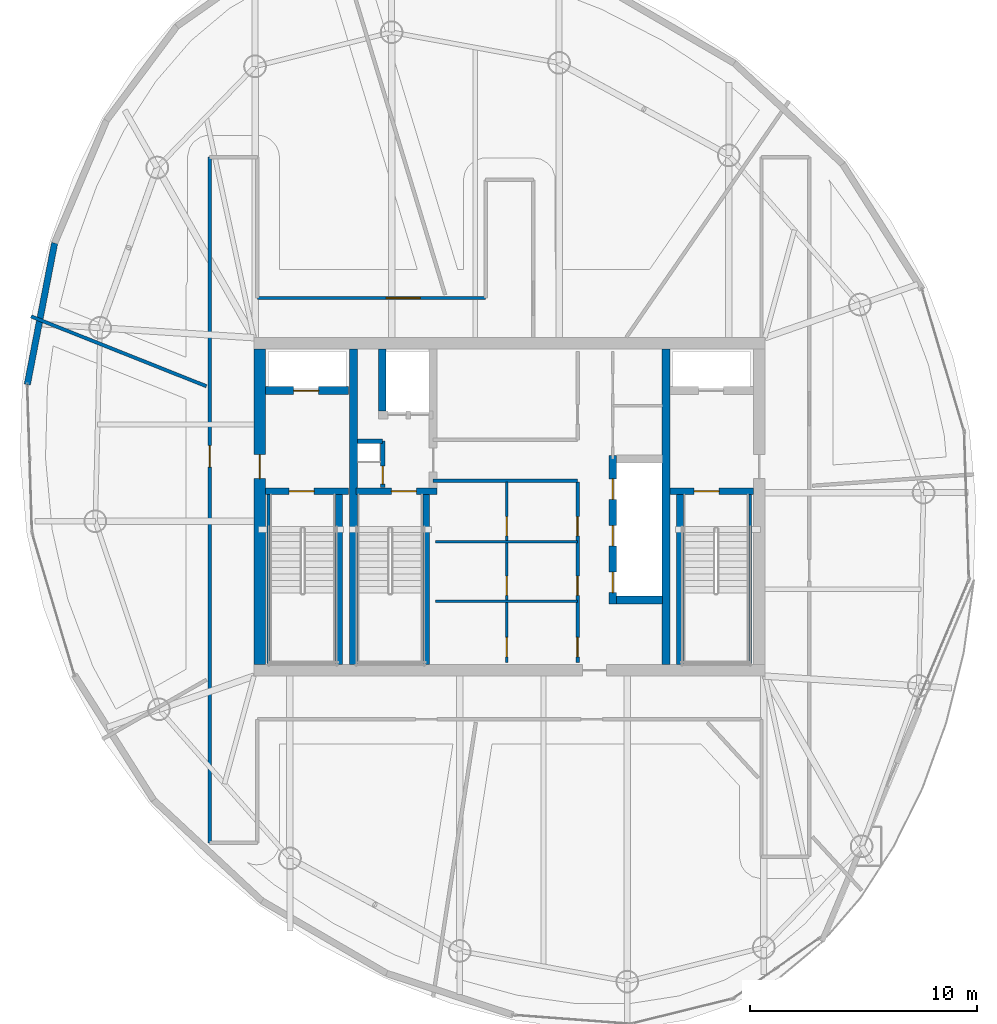
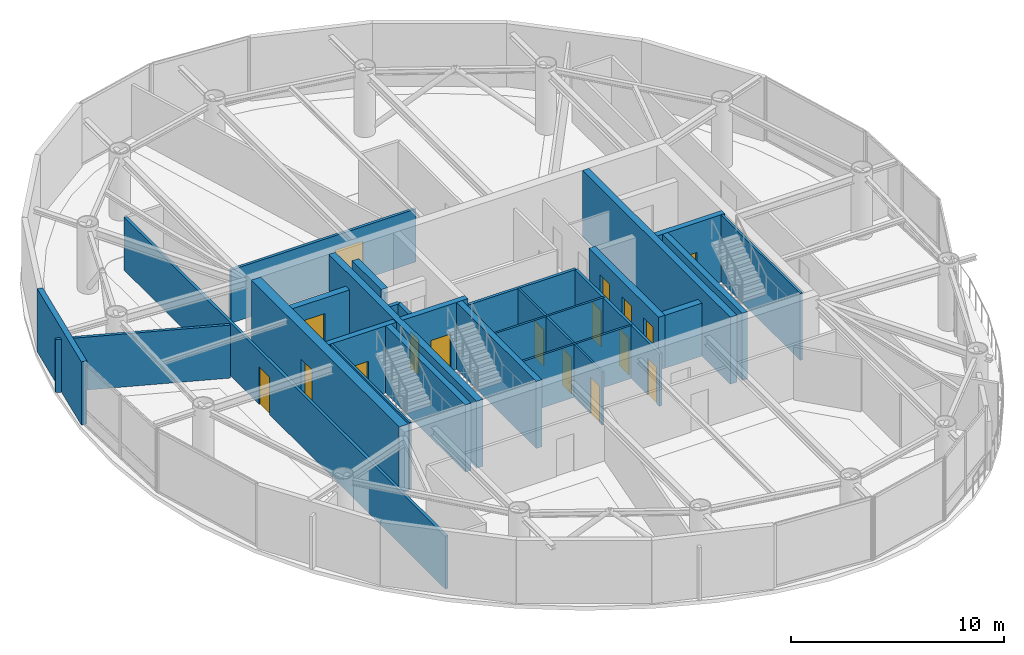
# One storey, part 17 of 23: 26 walls, 17 doors, 17 openings.
"""IFC4 building model written with IfcOpenShell, lengths in metres."""

from ifc_helpers import new_model, si_unit, direction, frame, frame_2d, origin, place, context, subcontext, project, spatial, rectangle, extrude, material, layer, layer_set, type_object, element, fill, save


model = new_model("IFC4")

# Units and contexts
model_context = context("Model", 3, precision=1e-05, world=origin(), true_north=direction((0.0, 1.0)))
body_context = subcontext(model_context, "Body", "Model", "MODEL_VIEW")
ifc_project = project(units=[si_unit("LENGTHUNIT", "METRE"), si_unit("AREAUNIT", "SQUARE_METRE"), si_unit("VOLUMEUNIT", "CUBIC_METRE"), si_unit("PLANEANGLEUNIT", "RADIAN"), si_unit("MASSUNIT", "GRAM", prefix="KILO")], contexts=[model_context])

# Site, building, storey
site_placement = place(None, origin())
site = spatial("IfcSite", under=ifc_project, at=site_placement, CompositionType="ELEMENT")
building_placement = place(site_placement, origin())
building = spatial("IfcBuilding", under=site, at=building_placement, Name="Bramvorn Convention Spire", CompositionType="ELEMENT")
storey_placement = place(building_placement, frame((0.0, 0.0, 295.949951171875)))
storey = spatial("IfcBuildingStorey", under=building, at=storey_placement, Name="L75", CompositionType="ELEMENT", Elevation=295.949951171875)

# Wall, opening, door
ifc_material_1 = material(Name="Concrete C50/60", Category="concrete")
ifc_layer_1 = layer(ifc_material_1, 0.5)
ifc_layer_set_1 = layer_set([ifc_layer_1], Name="Concrete C50/60 - WL-CORE-500")
wall_type_1 = type_object("IfcWallType", Name="WL-CORE-500", PredefinedType="SHEAR", material=ifc_layer_set_1)
wall_1_placement = place(storey_placement, frame((27.0, 19.050048828125, 0.0), z_axis=(0.0, 0.0, 1.0), x_axis=(0.0, 1.0, 0.0)))
wall_1 = element("IfcWall", 1, at=wall_1_placement, inside=storey, type_object=wall_type_1, Name="L75 West RC core shear wall", PredefinedType="SHEAR", context=body_context, shape_type="SweptSolid", body=[
    extrude(rectangle(XDim=13.89990234375, YDim=0.5, at=frame_2d((6.949951171875, 0.0))), origin(), (0.0, 0.0, 1.0), 3.85009765625),
])
opening_1_placement = place(wall_1_placement, frame((8.199951171875, 0.0, 0.0)))
opening_1 = element("IfcOpeningElement", 2, at=opening_1_placement, cuts=wall_1, Name="Opening DL-105", PredefinedType="OPENING", context=body_context, shape_type="SweptSolid", body=[
    extrude(rectangle(XDim=1.050048828125, YDim=2.14990234375, at=frame_2d((0.52490234375, 1.074951171875))), frame((0.0, 0.260009765625, 0.0), z_axis=(0.0, -1.0, 0.0), x_axis=(1.0, 0.0, 0.0)), (0.0, 0.0, 1.0), 0.52001953125),
])
ifc_material_2 = material(Name="Smoke-Sealed Fire Lobby Timber-Core Door", Category="wood")
door_type_1 = type_object("IfcDoorType", Name="DR-LOBBY-1050", OperationType="NOTDEFINED", PredefinedType="DOOR", material=ifc_material_2)
door_1_placement = place(opening_1_placement, origin())
door_1 = element("IfcDoor", 3, at=door_1_placement, inside=storey, type_object=door_type_1, Name="L75 West Firefighting Lobby corridor door", OperationType="SINGLE_SWING_RIGHT", OverallHeight=2.14990234375, OverallWidth=1.050048828125, PredefinedType="DOOR", context=body_context, shape_type="SweptSolid", body=[
    extrude(rectangle(XDim=1.050048828125, YDim=2.14990234375, at=frame_2d((0.52490234375, 1.074951171875))), frame((0.0, 0.02490234375, 0.0), z_axis=(0.0, -1.0, 0.0), x_axis=(1.0, 0.0, 0.0)), (0.0, 0.0, 1.0), 0.050048828125),
])
fill(opening_1, door_1)

# Walls
ifc_layer_2 = layer(ifc_material_1, 0.35009765625)
ifc_layer_set_2 = layer_set([ifc_layer_2], Name="Concrete C50/60 - WL-CORE-INT-350")
wall_type_2 = type_object("IfcWallType", Name="WL-CORE-INT-350", PredefinedType="SHEAR", material=ifc_layer_set_2)
for number, where, z_axis, x_axis, name in (
    (4, (31.1298828125, 19.050048828125, 0.0), (0.0, 0.0, 1.0), (0.0, 1.0, 0.0), "L75 West internal core shear web"),
    (5, (44.89990234375, 19.050048828125, 0.0), (0.0, 0.0, 1.0), (0.0, 1.0, 0.0), "L75 East internal core shear web"),
):
    element("IfcWall", number, at=place(storey_placement, frame(where, z_axis=z_axis, x_axis=x_axis)), inside=storey, type_object=wall_type_2, Name=name, PredefinedType="SHEAR", context=body_context, shape_type="SweptSolid", body=[
        extrude(rectangle(XDim=13.89990234375, YDim=0.35009765625, at=frame_2d((6.949951171875, 0.0))), origin(), (0.0, 0.0, 1.0), 3.85009765625),
    ])

# Wall, opening, door
wall_2_placement = place(storey_placement, frame((27.25, 31.1201171875, 0.0), z_axis=(0.0, 0.0, 1.0), x_axis=(1.0, 0.0, 0.0)))
wall_2 = element("IfcWall", 6, at=wall_2_placement, inside=storey, type_object=wall_type_2, Name="L75 FE1 shaft front wall", PredefinedType="SHEAR", context=body_context, shape_type="SweptSolid", body=[
    extrude(rectangle(XDim=3.669921875, YDim=0.35009765625, at=frame_2d((1.8349609375, 0.0))), origin(), (0.0, 0.0, 1.0), 3.0400390625),
])
opening_2_placement = place(wall_2_placement, frame((1.25, 0.0, 0.0)))
opening_2 = element("IfcOpeningElement", 7, at=opening_2_placement, cuts=wall_2, Name="Opening LD-110", PredefinedType="OPENING", context=body_context, shape_type="SweptSolid", body=[
    extrude(rectangle(XDim=1.10009765625, YDim=2.14990234375, at=frame_2d((0.550048828125, 1.074951171875))), frame((0.0, 0.18505859375, 0.0), z_axis=(0.0, -1.0, 0.0), x_axis=(1.0, 0.0, 0.0)), (0.0, 0.0, 1.0), 0.3701171875),
])
ifc_material_3 = material(Name="Firefighting & Service Lift Sliding Landing Door", Category="steel")
door_type_2 = type_object("IfcDoorType", Name="DR-LIFT-LD-1100", OperationType="NOTDEFINED", PredefinedType="DOOR", material=ifc_material_3)
door_2_placement = place(opening_2_placement, origin())
door_2 = element("IfcDoor", 8, at=door_2_placement, inside=storey, type_object=door_type_2, Name="L75 Lift FE1 Sliding Landing Door", OperationType="SLIDING_TO_LEFT", OverallHeight=2.14990234375, OverallWidth=1.10009765625, PredefinedType="DOOR", context=body_context, shape_type="SweptSolid", body=[
    extrude(rectangle(XDim=1.10009765625, YDim=2.14990234375, at=frame_2d((0.550048828125, 1.074951171875))), frame((0.0, 0.02490234375, 0.0), z_axis=(0.0, -1.0, 0.0), x_axis=(1.0, 0.0, 0.0)), (0.0, 0.0, 1.0), 0.050048828125),
])
fill(opening_2, door_2)

# Wall
wall_3_placement = place(storey_placement, frame((32.39990234375, 30.219970703125, 0.0), z_axis=(0.0, 0.0, 1.0), x_axis=(0.0, 1.0, 0.0)))
element("IfcWall", 9, at=wall_3_placement, inside=storey, type_object=wall_type_2, Name="L75 SV1 west hoistway wall", PredefinedType="SHEAR", context=body_context, shape_type="SweptSolid", body=[
    extrude(rectangle(XDim=2.72998046875, YDim=0.35009765625, at=frame_2d((1.364990234375, 0.0))), origin(), (0.0, 0.0, 1.0), 3.0400390625),
])

# Wall, openings, doors
wall_4_placement = place(storey_placement, frame((42.550048828125, 21.72998046875, 0.0), z_axis=(0.0, 0.0, 1.0), x_axis=(0.0, 1.0, 0.0)))
wall_4 = element("IfcWall", 10, at=wall_4_placement, inside=storey, type_object=wall_type_2, Name="L75 High-rise lift bank west wall", PredefinedType="SHEAR", context=body_context, shape_type="SweptSolid", body=[
    extrude(rectangle(XDim=6.5400390625, YDim=0.35009765625, at=frame_2d((3.27001953125, 0.0))), origin(), (0.0, 0.0, 1.0), 3.0400390625),
])
opening_3_placement = place(wall_4_placement, frame((0.5, 0.0, 0.0)))
opening_3 = element("IfcOpeningElement", 11, at=opening_3_placement, cuts=wall_4, Name="Opening LD-090", PredefinedType="OPENING", context=body_context, shape_type="SweptSolid", body=[
    extrude(rectangle(XDim=0.89990234375, YDim=2.14990234375, at=frame_2d((0.449951171875, 1.074951171875))), frame((0.0, 0.18505859375, 0.0), z_axis=(0.0, -1.0, 0.0), x_axis=(1.0, 0.0, 0.0)), (0.0, 0.0, 1.0), 0.3701171875),
])
opening_4_placement = place(wall_4_placement, frame((2.550048828125, 0.0, 0.0)))
opening_4 = element("IfcOpeningElement", 12, at=opening_4_placement, cuts=wall_4, Name="Opening LD-090", PredefinedType="OPENING", context=body_context, shape_type="SweptSolid", body=[
    extrude(rectangle(XDim=0.89990234375, YDim=2.14990234375, at=frame_2d((0.449951171875, 1.074951171875))), frame((0.0, 0.18505859375, 0.0), z_axis=(0.0, -1.0, 0.0), x_axis=(1.0, 0.0, 0.0)), (0.0, 0.0, 1.0), 0.3701171875),
])
opening_5_placement = place(wall_4_placement, frame((4.60009765625, 0.0, 0.0)))
opening_5 = element("IfcOpeningElement", 13, at=opening_5_placement, cuts=wall_4, Name="Opening LD-090", PredefinedType="OPENING", context=body_context, shape_type="SweptSolid", body=[
    extrude(rectangle(XDim=0.89990234375, YDim=2.14990234375, at=frame_2d((0.449951171875, 1.074951171875))), frame((0.0, 0.18505859375, 0.0), z_axis=(0.0, -1.0, 0.0), x_axis=(1.0, 0.0, 0.0)), (0.0, 0.0, 1.0), 0.3701171875),
])
ifc_material_4 = material(Name="Bi-Parting Fire-Rated Lift Landing Door", Category="steel")
door_type_3 = type_object("IfcDoorType", Name="DR-LIFT-LD-900", OperationType="NOTDEFINED", PredefinedType="DOOR", material=ifc_material_4)
door_3_placement = place(opening_3_placement, origin())
door_3 = element("IfcDoor", 14, at=door_3_placement, inside=storey, type_object=door_type_3, Name="L75 Lift PH1 Sliding Landing Door", OperationType="SLIDING_TO_LEFT", OverallHeight=2.14990234375, OverallWidth=0.89990234375, PredefinedType="DOOR", context=body_context, shape_type="SweptSolid", body=[
    extrude(rectangle(XDim=0.89990234375, YDim=2.14990234375, at=frame_2d((0.449951171875, 1.074951171875))), frame((0.0, 0.02490234375, 0.0), z_axis=(0.0, -1.0, 0.0), x_axis=(1.0, 0.0, 0.0)), (0.0, 0.0, 1.0), 0.050048828125),
])
fill(opening_3, door_3)
door_4_placement = place(opening_4_placement, origin())
door_4 = element("IfcDoor", 15, at=door_4_placement, inside=storey, type_object=door_type_3, Name="L75 Lift PH2 Sliding Landing Door", OperationType="SLIDING_TO_LEFT", OverallHeight=2.14990234375, OverallWidth=0.89990234375, PredefinedType="DOOR", context=body_context, shape_type="SweptSolid", body=[
    extrude(rectangle(XDim=0.89990234375, YDim=2.14990234375, at=frame_2d((0.449951171875, 1.074951171875))), frame((0.0, 0.02490234375, 0.0), z_axis=(0.0, -1.0, 0.0), x_axis=(1.0, 0.0, 0.0)), (0.0, 0.0, 1.0), 0.050048828125),
])
fill(opening_4, door_4)
door_5_placement = place(opening_5_placement, origin())
door_5 = element("IfcDoor", 16, at=door_5_placement, inside=storey, type_object=door_type_3, Name="L75 Lift PH3 Sliding Landing Door", OperationType="SLIDING_TO_LEFT", OverallHeight=2.14990234375, OverallWidth=0.89990234375, PredefinedType="DOOR", context=body_context, shape_type="SweptSolid", body=[
    extrude(rectangle(XDim=0.89990234375, YDim=2.14990234375, at=frame_2d((0.449951171875, 1.074951171875))), frame((0.0, 0.02490234375, 0.0), z_axis=(0.0, -1.0, 0.0), x_axis=(1.0, 0.0, 0.0)), (0.0, 0.0, 1.0), 0.050048828125),
])
fill(opening_5, door_5)

# Walls
wall_5_placement = place(storey_placement, frame((42.719970703125, 21.89990234375, 0.0), z_axis=(0.0, 0.0, 1.0), x_axis=(1.0, 0.0, 0.0)))
element("IfcWall", 17, at=wall_5_placement, inside=storey, type_object=wall_type_2, Name="L75 High-rise lift bank south wall", PredefinedType="SHEAR", context=body_context, shape_type="SweptSolid", body=[
    extrude(rectangle(XDim=2.030029296875, YDim=0.35009765625, at=frame_2d((1.01513671875, 0.0))), origin(), (0.0, 0.0, 1.0), 3.0400390625),
])
ifc_material_5 = material(Name="Precast Concrete C40/50 with Bronze Terracotta Rainscreen", Category="masonry")
ifc_layer_3 = layer(ifc_material_5, 0.300048828125)
ifc_layer_set_3 = layer_set([ifc_layer_3], Name="Precast Concrete C40/50 with Bronze Terracotta Rainscreen - WL-EXT-BRONZE-300")
wall_type_3 = type_object("IfcWallType", Name="WL-EXT-BRONZE-300", PredefinedType="SOLIDWALL", material=ifc_layer_set_3)
wall_6_placement = place(storey_placement, frame((16.772216796875, 31.386962890625, 0.0), z_axis=(0.0, 0.0, 1.0), x_axis=(0.189578027275, 0.981865658619, 0.0)))
element("IfcWall", 18, at=wall_6_placement, inside=storey, type_object=wall_type_3, Name="L75 expressed bronze Gothic lancet pier wall 16", PredefinedType="SOLIDWALL", context=body_context, shape_type="SweptSolid", body=[
    extrude(rectangle(XDim=6.344970703125, YDim=0.280029296875, at=frame_2d((3.17236328125, 0.0))), origin(), (0.0, 0.0, 1.0), 3.625),
])

# Wall, openings, doors
ifc_material_6 = material(Name="Lightweight En-Suite & Wet-Wall Partition", Category="gypsum")
ifc_layer_4 = layer(ifc_material_6, 0.110107421875)
ifc_layer_set_4 = layer_set([ifc_layer_4], Name="Lightweight En-Suite & Wet-Wall Partition - WL-PART-110")
wall_type_4 = type_object("IfcWallType", Name="WL-PART-110", PredefinedType="PARTITIONING", material=ifc_layer_set_4)
wall_7_placement = place(storey_placement, frame((37.8798828125, 19.14990234375, 0.0), z_axis=(0.0, 0.0, 1.0), x_axis=(0.0, 1.0, 0.0)))
wall_7 = element("IfcWall", 19, at=wall_7_placement, inside=storey, type_object=wall_type_4, Name="L75 KB center wall", PredefinedType="PARTITIONING", context=body_context, shape_type="SweptSolid", body=[
    extrude(rectangle(XDim=7.9501953125, YDim=0.110107421875, at=frame_2d((3.97509765625, 0.0))), origin(), (0.0, 0.0, 1.0), 3.0400390625),
])
opening_6_placement = place(wall_7_placement, frame((0.25, 0.0, 0.0)))
opening_6 = element("IfcOpeningElement", 20, at=opening_6_placement, cuts=wall_7, Name="Opening DC-085", PredefinedType="OPENING", context=body_context, shape_type="SweptSolid", body=[
    extrude(rectangle(XDim=0.85009765625, YDim=2.10009765625, at=frame_2d((0.425048828125, 1.050048828125))), frame((0.0, 0.06494140625, 0.0), z_axis=(0.0, -1.0, 0.0), x_axis=(1.0, 0.0, 0.0)), (0.0, 0.0, 1.0), 0.130126953125),
])
opening_7_placement = place(wall_7_placement, frame((2.952880859375, 0.0, 0.0)))
opening_7 = element("IfcOpeningElement", 21, at=opening_7_placement, cuts=wall_7, Name="Opening DC-085", PredefinedType="OPENING", context=body_context, shape_type="SweptSolid", body=[
    extrude(rectangle(XDim=0.85009765625, YDim=2.10009765625, at=frame_2d((0.425048828125, 1.050048828125))), frame((0.0, 0.06494140625, 0.0), z_axis=(0.0, -1.0, 0.0), x_axis=(1.0, 0.0, 0.0)), (0.0, 0.0, 1.0), 0.130126953125),
])
opening_8_placement = place(wall_7_placement, frame((5.576416015625, 0.0, 0.0)))
opening_8 = element("IfcOpeningElement", 22, at=opening_8_placement, cuts=wall_7, Name="Opening DC-085", PredefinedType="OPENING", context=body_context, shape_type="SweptSolid", body=[
    extrude(rectangle(XDim=0.85009765625, YDim=2.10009765625, at=frame_2d((0.425048828125, 1.050048828125))), frame((0.0, 0.06494140625, 0.0), z_axis=(0.0, -1.0, 0.0), x_axis=(1.0, 0.0, 0.0)), (0.0, 0.0, 1.0), 0.130126953125),
])
ifc_material_7 = material(Name="Fire-Rated Core Washroom & IDF Door", Category="wood")
door_type_4 = type_object("IfcDoorType", Name="DR-CORE-850", OperationType="NOTDEFINED", PredefinedType="DOOR", material=ifc_material_7)
door_6_placement = place(opening_6_placement, origin())
door_6 = element("IfcDoor", 23, at=door_6_placement, inside=storey, type_object=door_type_4, Name="L75 Core Linen Store door", OperationType="SINGLE_SWING_LEFT", OverallHeight=2.10009765625, OverallWidth=0.85009765625, PredefinedType="DOOR", context=body_context, shape_type="SweptSolid", body=[
    extrude(rectangle(XDim=0.85009765625, YDim=2.10009765625, at=frame_2d((0.425048828125, 1.050048828125))), frame((0.0, 0.02490234375, 0.0), z_axis=(0.0, -1.0, 0.0), x_axis=(1.0, 0.0, 0.0)), (0.0, 0.0, 1.0), 0.050048828125),
])
fill(opening_6, door_6)
door_7_placement = place(opening_7_placement, origin())
door_7 = element("IfcDoor", 24, at=door_7_placement, inside=storey, type_object=door_type_4, Name="L75 Core Metering Closet door", OperationType="SINGLE_SWING_LEFT", OverallHeight=2.10009765625, OverallWidth=0.85009765625, PredefinedType="DOOR", context=body_context, shape_type="SweptSolid", body=[
    extrude(rectangle(XDim=0.85009765625, YDim=2.10009765625, at=frame_2d((0.425048828125, 1.050048828125))), frame((0.0, 0.02490234375, 0.0), z_axis=(0.0, -1.0, 0.0), x_axis=(1.0, 0.0, 0.0)), (0.0, 0.0, 1.0), 0.050048828125),
])
fill(opening_7, door_7)
door_8_placement = place(opening_8_placement, origin())
door_8 = element("IfcDoor", 25, at=door_8_placement, inside=storey, type_object=door_type_4, Name="L75 Core Janitor Supply door", OperationType="SINGLE_SWING_LEFT", OverallHeight=2.10009765625, OverallWidth=0.85009765625, PredefinedType="DOOR", context=body_context, shape_type="SweptSolid", body=[
    extrude(rectangle(XDim=0.85009765625, YDim=2.10009765625, at=frame_2d((0.425048828125, 1.050048828125))), frame((0.0, 0.02490234375, 0.0), z_axis=(0.0, -1.0, 0.0), x_axis=(1.0, 0.0, 0.0)), (0.0, 0.0, 1.0), 0.050048828125),
])
fill(opening_8, door_8)

# Walls
for number, where, z_axis, x_axis, name in (
    (26, (34.75, 21.85302734375, 0.0), (0.0, 0.0, 1.0), (1.0, 0.0, 0.0), "L75 KB divider 1"),
    (27, (34.75, 24.4765625, 0.0), (0.0, 0.0, 1.0), (1.0, 0.0, 0.0), "L75 KB divider 2"),
):
    element("IfcWall", number, at=place(storey_placement, frame(where, z_axis=z_axis, x_axis=x_axis)), inside=storey, type_object=wall_type_4, Name=name, PredefinedType="PARTITIONING", context=body_context, shape_type="SweptSolid", body=[
        extrude(rectangle(XDim=6.25, YDim=0.110107421875, at=frame_2d((3.125, 0.0))), origin(), (0.0, 0.0, 1.0), 3.0400390625),
    ])
ifc_material_8 = material(Name="Acoustic Metal-Stud Tenant/Corridor Partition", Category="gypsum")
ifc_layer_5 = layer(ifc_material_8, 0.14990234375)
ifc_layer_set_5 = layer_set([ifc_layer_5], Name="Acoustic Metal-Stud Tenant/Corridor Partition - WL-PART-150")
wall_type_5 = type_object("IfcWallType", Name="WL-PART-150", PredefinedType="PARTITIONING", material=ifc_layer_set_5)
wall_8_placement = place(storey_placement, frame((34.639892578125, 27.14990234375, 0.0), z_axis=(0.0, 0.0, 1.0), x_axis=(1.0, 0.0, 0.0)))
element("IfcWall", 28, at=wall_8_placement, inside=storey, type_object=wall_type_5, Name="L75 Cross-core passage south wall", PredefinedType="PARTITIONING", context=body_context, shape_type="SweptSolid", body=[
    extrude(rectangle(XDim=6.360107421875, YDim=0.14990234375, at=frame_2d((3.18017578125, 0.0))), origin(), (0.0, 0.0, 1.0), 3.0400390625),
])

# Wall, openings, doors
wall_9_placement = place(storey_placement, frame((41.0, 19.14990234375, 0.0), z_axis=(0.0, 0.0, 1.0), x_axis=(0.0, 1.0, 0.0)))
wall_9 = element("IfcWall", 29, at=wall_9_placement, inside=storey, type_object=wall_type_5, Name="L75 KB east core wall", PredefinedType="PARTITIONING", context=body_context, shape_type="SweptSolid", body=[
    extrude(rectangle(XDim=7.9501953125, YDim=0.14990234375, at=frame_2d((3.97509765625, 0.0))), origin(), (0.0, 0.0, 1.0), 3.0400390625),
])
opening_9_placement = place(wall_9_placement, frame((0.25, 0.0, 0.0)))
opening_9 = element("IfcOpeningElement", 30, at=opening_9_placement, cuts=wall_9, Name="Opening DC-085", PredefinedType="OPENING", context=body_context, shape_type="SweptSolid", body=[
    extrude(rectangle(XDim=0.85009765625, YDim=2.10009765625, at=frame_2d((0.425048828125, 1.050048828125))), frame((0.0, 0.0849609375, 0.0), z_axis=(0.0, -1.0, 0.0), x_axis=(1.0, 0.0, 0.0)), (0.0, 0.0, 1.0), 0.169921875),
])
opening_10_placement = place(wall_9_placement, frame((2.952880859375, 0.0, 0.0)))
opening_10 = element("IfcOpeningElement", 31, at=opening_10_placement, cuts=wall_9, Name="Opening DC-085", PredefinedType="OPENING", context=body_context, shape_type="SweptSolid", body=[
    extrude(rectangle(XDim=0.85009765625, YDim=2.10009765625, at=frame_2d((0.425048828125, 1.050048828125))), frame((0.0, 0.0849609375, 0.0), z_axis=(0.0, -1.0, 0.0), x_axis=(1.0, 0.0, 0.0)), (0.0, 0.0, 1.0), 0.169921875),
])
opening_11_placement = place(wall_9_placement, frame((5.576416015625, 0.0, 0.0)))
opening_11 = element("IfcOpeningElement", 32, at=opening_11_placement, cuts=wall_9, Name="Opening DC-085", PredefinedType="OPENING", context=body_context, shape_type="SweptSolid", body=[
    extrude(rectangle(XDim=0.85009765625, YDim=2.10009765625, at=frame_2d((0.425048828125, 1.050048828125))), frame((0.0, 0.0849609375, 0.0), z_axis=(0.0, -1.0, 0.0), x_axis=(1.0, 0.0, 0.0)), (0.0, 0.0, 1.0), 0.169921875),
])
door_9_placement = place(opening_9_placement, origin())
door_9 = element("IfcDoor", 33, at=door_9_placement, inside=storey, type_object=door_type_4, Name="L75 Accessible Core Restroom door", OperationType="SINGLE_SWING_LEFT", OverallHeight=2.10009765625, OverallWidth=0.85009765625, PredefinedType="DOOR", context=body_context, shape_type="SweptSolid", body=[
    extrude(rectangle(XDim=0.85009765625, YDim=2.10009765625, at=frame_2d((0.425048828125, 1.050048828125))), frame((0.0, 0.02490234375, 0.0), z_axis=(0.0, -1.0, 0.0), x_axis=(1.0, 0.0, 0.0)), (0.0, 0.0, 1.0), 0.050048828125),
])
fill(opening_9, door_9)
door_10_placement = place(opening_10_placement, origin())
door_10 = element("IfcDoor", 34, at=door_10_placement, inside=storey, type_object=door_type_4, Name="L75 Tenant Pantry & Copy Centre door", OperationType="SINGLE_SWING_LEFT", OverallHeight=2.10009765625, OverallWidth=0.85009765625, PredefinedType="DOOR", context=body_context, shape_type="SweptSolid", body=[
    extrude(rectangle(XDim=0.85009765625, YDim=2.10009765625, at=frame_2d((0.425048828125, 1.050048828125))), frame((0.0, 0.02490234375, 0.0), z_axis=(0.0, -1.0, 0.0), x_axis=(1.0, 0.0, 0.0)), (0.0, 0.0, 1.0), 0.050048828125),
])
fill(opening_10, door_10)
door_11_placement = place(opening_11_placement, origin())
door_11 = element("IfcDoor", 35, at=door_11_placement, inside=storey, type_object=door_type_4, Name="L75 Gender-Neutral Core WC door", OperationType="SINGLE_SWING_LEFT", OverallHeight=2.10009765625, OverallWidth=0.85009765625, PredefinedType="DOOR", context=body_context, shape_type="SweptSolid", body=[
    extrude(rectangle(XDim=0.85009765625, YDim=2.10009765625, at=frame_2d((0.425048828125, 1.050048828125))), frame((0.0, 0.02490234375, 0.0), z_axis=(0.0, -1.0, 0.0), x_axis=(1.0, 0.0, 0.0)), (0.0, 0.0, 1.0), 0.050048828125),
])
fill(opening_11, door_11)

# Wall, opening, door
wall_10_placement = place(storey_placement, frame((26.89990234375, 35.199951171875, 0.0), z_axis=(0.0, 0.0, 1.0), x_axis=(1.0, 0.0, 0.0)))
wall_10 = element("IfcWall", 36, at=wall_10_placement, inside=storey, type_object=wall_type_5, Name="L75 North-west spur link wall", PredefinedType="PARTITIONING", context=body_context, shape_type="SweptSolid", body=[
    extrude(rectangle(XDim=10.050048828125, YDim=0.14990234375, at=frame_2d((5.02490234375, 0.0))), origin(), (0.0, 0.0, 1.0), 3.0400390625),
])
opening_12_placement = place(wall_10_placement, frame((5.679443359375, 0.0, 0.0)))
opening_12 = element("IfcOpeningElement", 37, at=opening_12_placement, cuts=wall_10, Name="Opening DC-150", PredefinedType="OPENING", context=body_context, shape_type="SweptSolid", body=[
    extrude(rectangle(XDim=1.5, YDim=2.199951171875, at=frame_2d((0.75, 1.10009765625))), frame((0.0, 0.0849609375, 0.0), z_axis=(0.0, -1.0, 0.0), x_axis=(1.0, 0.0, 0.0)), (0.0, 0.0, 1.0), 0.169921875),
])
ifc_material_9 = material(Name="Double-Leaf Smoke-Control Corridor Door", Category="wood")
door_type_5 = type_object("IfcDoorType", Name="DR-COR-1500", OperationType="NOTDEFINED", PredefinedType="DOOR", material=ifc_material_9)
door_12_placement = place(opening_12_placement, origin())
door_12 = element("IfcDoor", 38, at=door_12_placement, inside=storey, type_object=door_type_5, Name="L75 Sunset Cocktail Dining Lounge 3 3 door", OperationType="DOUBLE_DOOR_SINGLE_SWING", OverallHeight=2.199951171875, OverallWidth=1.5, PredefinedType="DOOR", context=body_context, shape_type="SweptSolid", body=[
    extrude(rectangle(XDim=1.5, YDim=2.199951171875, at=frame_2d((0.75, 1.10009765625))), frame((0.0, 0.02490234375, 0.0), z_axis=(0.0, -1.0, 0.0), x_axis=(1.0, 0.0, 0.0)), (0.0, 0.0, 1.0), 0.050048828125),
])
fill(opening_12, door_12)

wall_11_placement = place(storey_placement, frame((24.800048828125, 11.207763671875, 0.0), z_axis=(0.0, 0.0, 1.0), x_axis=(0.0, 1.0, 0.0)))
wall_11 = element("IfcWall", 39, at=wall_11_placement, inside=storey, type_object=wall_type_5, Name="L75 West N-S gallery outer wall", PredefinedType="PARTITIONING", context=body_context, shape_type="SweptSolid", body=[
    extrude(rectangle(XDim=30.192138671875, YDim=0.14990234375, at=frame_2d((15.09619140625, 0.0))), origin(), (0.0, 0.0, 1.0), 3.0400390625),
])
opening_13_placement = place(wall_11_placement, frame((16.54248046875, 0.0, 0.0)))
opening_13 = element("IfcOpeningElement", 40, at=opening_13_placement, cuts=wall_11, Name="Opening DH-095", PredefinedType="OPENING", context=body_context, shape_type="SweptSolid", body=[
    extrude(rectangle(XDim=0.949951171875, YDim=2.14990234375, at=frame_2d((0.47509765625, 1.074951171875))), frame((0.0, 0.0849609375, 0.0), z_axis=(0.0, -1.0, 0.0), x_axis=(1.0, 0.0, 0.0)), (0.0, 0.0, 1.0), 0.169921875),
])
ifc_material_10 = material(Name="Solid-Core Acoustic Guestroom Entry Door", Category="wood")
door_type_6 = type_object("IfcDoorType", Name="DR-HOTEL-950", OperationType="NOTDEFINED", PredefinedType="DOOR", material=ifc_material_10)
door_13_placement = place(opening_13_placement, origin())
door_13 = element("IfcDoor", 41, at=door_13_placement, inside=storey, type_object=door_type_6, Name="L75 Exhibition Main Kitchen 4 door", OperationType="SINGLE_SWING_LEFT", OverallHeight=2.14990234375, OverallWidth=0.949951171875, PredefinedType="DOOR", context=body_context, shape_type="SweptSolid", body=[
    extrude(rectangle(XDim=0.949951171875, YDim=2.14990234375, at=frame_2d((0.47509765625, 1.074951171875))), frame((0.0, 0.02490234375, 0.0), z_axis=(0.0, -1.0, 0.0), x_axis=(1.0, 0.0, 0.0)), (0.0, 0.0, 1.0), 0.050048828125),
])
fill(opening_13, door_13)

# Wall
wall_12_placement = place(storey_placement, frame((24.659912109375, 31.3125, 0.0), z_axis=(0.0, 0.0, 1.0), x_axis=(-0.929042706144, 0.369972499194, 0.0)))
element("IfcWall", 42, at=wall_12_placement, inside=storey, type_object=wall_type_5, Name="L75 Tenant suite partition 4", PredefinedType="PARTITIONING", context=body_context, shape_type="SweptSolid", body=[
    extrude(rectangle(XDim=8.313232421875, YDim=0.14990234375, at=frame_2d((4.15673828125, 0.0))), origin(), (0.0, 0.0, 1.0), 3.0400390625),
])

# Wall, opening, door
ifc_material_11 = material(Name="Gypsum Shaftwall & Rockwool Core Partition", Category="gypsum")
ifc_layer_6 = layer(ifc_material_11, 0.199951171875)
ifc_layer_set_6 = layer_set([ifc_layer_6], Name="Gypsum Shaftwall & Rockwool Core Partition - WL-PART-200-FR")
wall_type_6 = type_object("IfcWallType", Name="WL-PART-200-FR", PredefinedType="PARTITIONING", material=ifc_layer_set_6)
wall_13_placement = place(storey_placement, frame((32.419921875, 26.860107421875, 0.0), z_axis=(0.0, 0.0, 1.0), x_axis=(0.0, 1.0, 0.0)))
wall_13 = element("IfcWall", 43, at=wall_13_placement, inside=storey, type_object=wall_type_6, Name="L75 Telecom riser east wall", PredefinedType="PARTITIONING", context=body_context, shape_type="SweptSolid", body=[
    extrude(rectangle(XDim=2.039794921875, YDim=0.199951171875, at=frame_2d((1.02001953125, 0.0))), origin(), (0.0, 0.0, 1.0), 3.0400390625),
])
opening_14_placement = place(wall_13_placement, frame((0.139892578125, 0.0, 0.0)))
opening_14 = element("IfcOpeningElement", 44, at=opening_14_placement, cuts=wall_13, Name="Opening DR-080", PredefinedType="OPENING", context=body_context, shape_type="SweptSolid", body=[
    extrude(rectangle(XDim=0.800048828125, YDim=2.050048828125, at=frame_2d((0.39990234375, 1.02490234375))), frame((0.0, 0.10986328125, 0.0), z_axis=(0.0, -1.0, 0.0), x_axis=(1.0, 0.0, 0.0)), (0.0, 0.0, 1.0), 0.219970703125),
])
ifc_material_12 = material(Name="Flush Steel Riser Access Door", Category="steel")
door_type_7 = type_object("IfcDoorType", Name="DR-RISER-800", OperationType="NOTDEFINED", PredefinedType="DOOR", material=ifc_material_12)
door_14_placement = place(opening_14_placement, origin())
door_14 = element("IfcDoor", 45, at=door_14_placement, inside=storey, type_object=door_type_7, Name="L75 Telecom riser access door", OperationType="SINGLE_SWING_RIGHT", OverallHeight=2.050048828125, OverallWidth=0.800048828125, PredefinedType="DOOR", context=body_context, shape_type="SweptSolid", body=[
    extrude(rectangle(XDim=0.800048828125, YDim=2.050048828125, at=frame_2d((0.39990234375, 1.02490234375))), frame((0.0, 0.02490234375, 0.0), z_axis=(0.0, -1.0, 0.0), x_axis=(1.0, 0.0, 0.0)), (0.0, 0.0, 1.0), 0.050048828125),
])
fill(opening_14, door_14)

# Wall
wall_14_placement = place(storey_placement, frame((31.300048828125, 28.89990234375, 0.0), z_axis=(0.0, 0.0, 1.0), x_axis=(1.0, 0.0, 0.0)))
element("IfcWall", 46, at=wall_14_placement, inside=storey, type_object=wall_type_6, Name="L75 Telecom riser north wall", PredefinedType="PARTITIONING", context=body_context, shape_type="SweptSolid", body=[
    extrude(rectangle(XDim=1.119873046875, YDim=0.199951171875, at=frame_2d((0.56005859375, 0.0))), origin(), (0.0, 0.0, 1.0), 3.0400390625),
])

# Wall, opening, door
ifc_layer_7 = layer(ifc_material_1, 0.300048828125)
ifc_layer_set_7 = layer_set([ifc_layer_7], Name="Concrete C50/60 - WL-POD-STAIR-300")
wall_type_7 = type_object("IfcWallType", Name="WL-POD-STAIR-300", PredefinedType="SHEAR", material=ifc_layer_set_7)
wall_15_placement = place(storey_placement, frame((27.25, 26.68994140625, 0.0), z_axis=(0.0, 0.0, 1.0), x_axis=(1.0, 0.0, 0.0)))
wall_15 = element("IfcWall", 47, at=wall_15_placement, inside=storey, type_object=wall_type_7, Name="L75 ST1 north fire wall", PredefinedType="SHEAR", context=body_context, shape_type="SweptSolid", body=[
    extrude(rectangle(XDim=3.669921875, YDim=0.300048828125, at=frame_2d((1.8349609375, 0.0))), origin(), (0.0, 0.0, 1.0), 3.85009765625),
])
opening_15_placement = place(wall_15_placement, frame((1.050048828125, 0.0, 0.0)))
opening_15 = element("IfcOpeningElement", 48, at=opening_15_placement, cuts=wall_15, Name="Opening DS-110", PredefinedType="OPENING", context=body_context, shape_type="SweptSolid", body=[
    extrude(rectangle(XDim=1.10009765625, YDim=2.14990234375, at=frame_2d((0.550048828125, 1.074951171875))), frame((0.0, 0.159912109375, 0.0), z_axis=(0.0, -1.0, 0.0), x_axis=(1.0, 0.0, 0.0)), (0.0, 0.0, 1.0), 0.320068359375),
])
ifc_material_13 = material(Name="Fire-Rated Hollow Steel Stairwell Door", Category="steel")
door_type_8 = type_object("IfcDoorType", Name="DR-STAIR-1100", OperationType="NOTDEFINED", PredefinedType="DOOR", material=ifc_material_13)
door_15_placement = place(opening_15_placement, origin())
door_15 = element("IfcDoor", 49, at=door_15_placement, inside=storey, type_object=door_type_8, Name="L75 Stair ST1 fire door", OperationType="SINGLE_SWING_LEFT", OverallHeight=2.14990234375, OverallWidth=1.10009765625, PredefinedType="DOOR", context=body_context, shape_type="SweptSolid", body=[
    extrude(rectangle(XDim=1.10009765625, YDim=2.14990234375, at=frame_2d((0.550048828125, 1.074951171875))), frame((0.0, 0.02490234375, 0.0), z_axis=(0.0, -1.0, 0.0), x_axis=(1.0, 0.0, 0.0)), (0.0, 0.0, 1.0), 0.050048828125),
])
fill(opening_15, door_15)

# Wall
wall_16_placement = place(storey_placement, frame((30.489990234375, 19.050048828125, 0.0), z_axis=(0.0, 0.0, 1.0), x_axis=(0.0, 1.0, 0.0)))
element("IfcWall", 50, at=wall_16_placement, inside=storey, type_object=wall_type_7, Name="L75 ST1 east bearing wall", PredefinedType="SHEAR", context=body_context, shape_type="SweptSolid", body=[
    extrude(rectangle(XDim=7.5, YDim=0.300048828125, at=frame_2d((3.75, 0.0))), origin(), (0.0, 0.0, 1.0), 3.85009765625),
])

# Wall, opening, door
wall_17_placement = place(storey_placement, frame((45.080078125, 26.68994140625, 0.0), z_axis=(0.0, 0.0, 1.0), x_axis=(1.0, 0.0, 0.0)))
wall_17 = element("IfcWall", 51, at=wall_17_placement, inside=storey, type_object=wall_type_7, Name="L75 ST2 north fire wall", PredefinedType="SHEAR", context=body_context, shape_type="SweptSolid", body=[
    extrude(rectangle(XDim=3.669921875, YDim=0.300048828125, at=frame_2d((1.8349609375, 0.0))), origin(), (0.0, 0.0, 1.0), 3.85009765625),
])
opening_16_placement = place(wall_17_placement, frame((1.050048828125, 0.0, 0.0)))
opening_16 = element("IfcOpeningElement", 52, at=opening_16_placement, cuts=wall_17, Name="Opening DS-110", PredefinedType="OPENING", context=body_context, shape_type="SweptSolid", body=[
    extrude(rectangle(XDim=1.10009765625, YDim=2.14990234375, at=frame_2d((0.550048828125, 1.074951171875))), frame((0.0, 0.159912109375, 0.0), z_axis=(0.0, -1.0, 0.0), x_axis=(1.0, 0.0, 0.0)), (0.0, 0.0, 1.0), 0.320068359375),
])
door_16_placement = place(opening_16_placement, origin())
door_16 = element("IfcDoor", 53, at=door_16_placement, inside=storey, type_object=door_type_8, Name="L75 Stair ST2 fire door", OperationType="SINGLE_SWING_RIGHT", OverallHeight=2.14990234375, OverallWidth=1.10009765625, PredefinedType="DOOR", context=body_context, shape_type="SweptSolid", body=[
    extrude(rectangle(XDim=1.10009765625, YDim=2.14990234375, at=frame_2d((0.550048828125, 1.074951171875))), frame((0.0, 0.02490234375, 0.0), z_axis=(0.0, -1.0, 0.0), x_axis=(1.0, 0.0, 0.0)), (0.0, 0.0, 1.0), 0.050048828125),
])
fill(opening_16, door_16)

# Walls
for number, where, z_axis, x_axis, name in (
    (54, (45.510009765625, 19.050048828125, 0.0), (0.0, 0.0, 1.0), (0.0, 1.0, 0.0), "L75 ST2 west bearing wall"),
    (55, (34.340087890625, 19.050048828125, 0.0), (0.0, 0.0, 1.0), (0.0, 1.0, 0.0), "L75 ST3 east bearing wall"),
):
    element("IfcWall", number, at=place(storey_placement, frame(where, z_axis=z_axis, x_axis=x_axis)), inside=storey, type_object=wall_type_7, Name=name, PredefinedType="SHEAR", context=body_context, shape_type="SweptSolid", body=[
        extrude(rectangle(XDim=7.5, YDim=0.300048828125, at=frame_2d((3.75, 0.0))), origin(), (0.0, 0.0, 1.0), 3.85009765625),
    ])

# Wall, opening, door
wall_18_placement = place(storey_placement, frame((31.25, 26.68994140625, 0.0), z_axis=(0.0, 0.0, 1.0), x_axis=(1.0, 0.0, 0.0)))
wall_18 = element("IfcWall", 56, at=wall_18_placement, inside=storey, type_object=wall_type_7, Name="L75 ST3 north lobby wall", PredefinedType="SHEAR", context=body_context, shape_type="SweptSolid", body=[
    extrude(rectangle(XDim=3.56005859375, YDim=0.300048828125, at=frame_2d((1.780029296875, 0.0))), origin(), (0.0, 0.0, 1.0), 3.85009765625),
])
opening_17_placement = place(wall_18_placement, frame((1.550048828125, 0.0, 0.0)))
opening_17 = element("IfcOpeningElement", 57, at=opening_17_placement, cuts=wall_18, Name="Opening DS-110", PredefinedType="OPENING", context=body_context, shape_type="SweptSolid", body=[
    extrude(rectangle(XDim=1.10009765625, YDim=2.14990234375, at=frame_2d((0.550048828125, 1.074951171875))), frame((0.0, 0.159912109375, 0.0), z_axis=(0.0, -1.0, 0.0), x_axis=(1.0, 0.0, 0.0)), (0.0, 0.0, 1.0), 0.320068359375),
])
door_17_placement = place(opening_17_placement, origin())
door_17 = element("IfcDoor", 58, at=door_17_placement, inside=storey, type_object=door_type_8, Name="L75 Stair ST3 fire door", OperationType="SINGLE_SWING_LEFT", OverallHeight=2.14990234375, OverallWidth=1.10009765625, PredefinedType="DOOR", context=body_context, shape_type="SweptSolid", body=[
    extrude(rectangle(XDim=1.10009765625, YDim=2.14990234375, at=frame_2d((0.550048828125, 1.074951171875))), frame((0.0, 0.02490234375, 0.0), z_axis=(0.0, -1.0, 0.0), x_axis=(1.0, 0.0, 0.0)), (0.0, 0.0, 1.0), 0.050048828125),
])
fill(opening_17, door_17)

# Walls
ifc_layer_8 = layer(ifc_material_1, 0.1201171875)
ifc_layer_set_8 = layer_set([ifc_layer_8], Name="Concrete C50/60 - WL-STAIR-RC-120")
wall_type_8 = type_object("IfcWallType", Name="WL-STAIR-RC-120", PredefinedType="SHEAR", material=ifc_layer_set_8)
for number, where, z_axis, x_axis, name in (
    (59, (27.39501953125, 19.10009765625, 0.0), (0.0, 0.0, 1.0), (0.0, 1.0, 0.0), "L75 ST1 west bearing shear wall"),
    (60, (48.60498046875, 19.10009765625, 0.0), (0.0, 0.0, 1.0), (0.0, 1.0, 0.0), "L75 ST2 east bearing shear wall"),
):
    element("IfcWall", number, at=place(storey_placement, frame(where, z_axis=z_axis, x_axis=x_axis)), inside=storey, type_object=wall_type_8, Name=name, PredefinedType="SHEAR", context=body_context, shape_type="SweptSolid", body=[
        extrude(rectangle(XDim=7.449951171875, YDim=0.1201171875, at=frame_2d((3.72509765625, 0.0))), origin(), (0.0, 0.0, 1.0), 3.85009765625),
    ])

save(model, "model.ifc")
